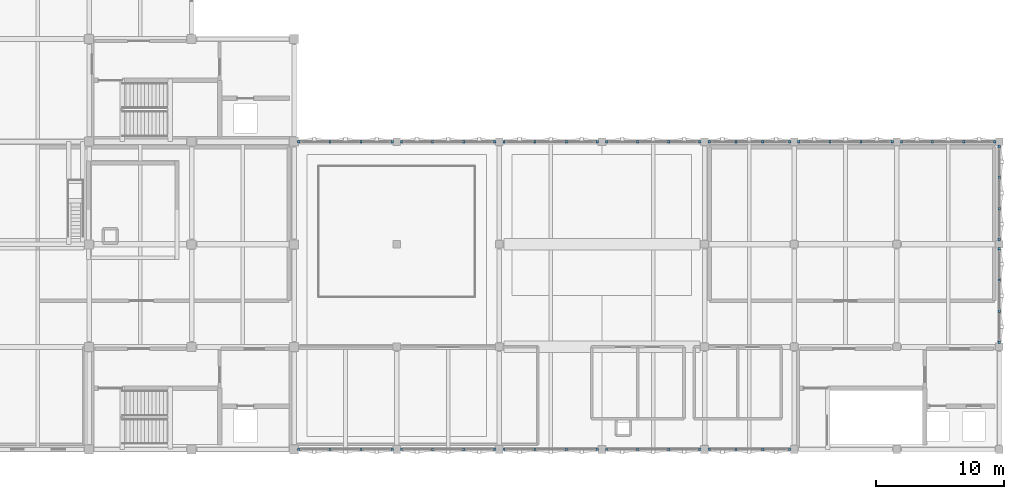
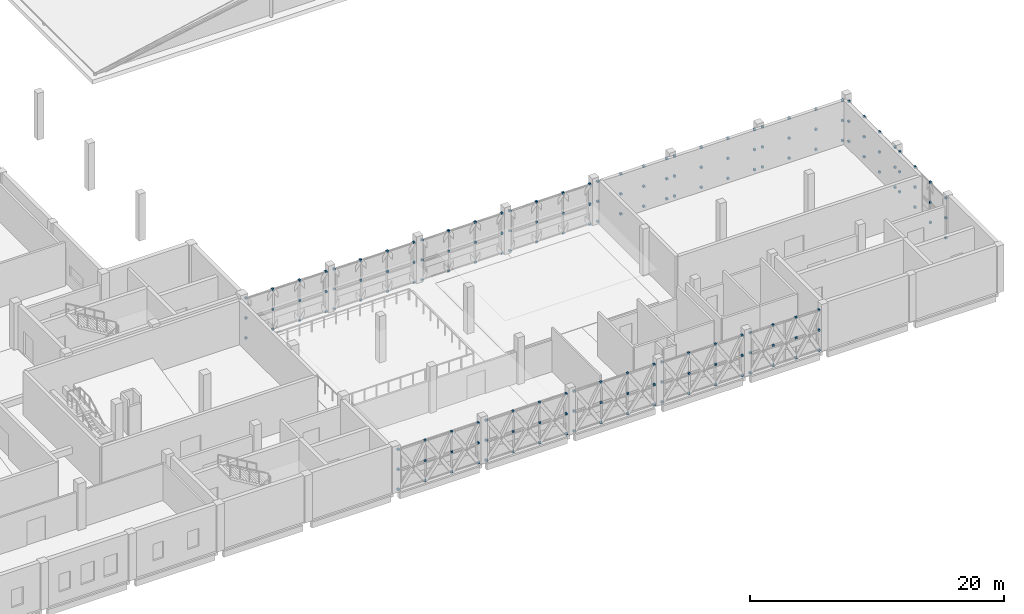
# One storey, part 40 of 43: 168 discrete accessories.
"""IFC4 building model written with IfcOpenShell, lengths in metres."""

from ifc_helpers import new_model, si_unit, direction, frame, origin, origin_2d, place, context, subcontext, project, spatial, rectangle, extrude, material, type_object, element, save


model = new_model("IFC4")

# Units and contexts
model_context = context("Model", 3, precision=1e-05, world=origin(), true_north=direction((0.0, 1.0)))
body_context = subcontext(model_context, "Body", "Model", "MODEL_VIEW")
ifc_project = project(units=[si_unit("LENGTHUNIT", "METRE"), si_unit("AREAUNIT", "SQUARE_METRE"), si_unit("VOLUMEUNIT", "CUBIC_METRE"), si_unit("PLANEANGLEUNIT", "RADIAN"), si_unit("MASSUNIT", "GRAM", prefix="KILO")], contexts=[model_context])

# Site, building, storey
site_placement = place(None, origin())
site = spatial("IfcSite", under=ifc_project, at=site_placement, CompositionType="ELEMENT")
building_placement = place(site_placement, origin())
building = spatial("IfcBuilding", under=site, at=building_placement, Name="Qorikala Patio Media Centre", CompositionType="ELEMENT")
storey_placement = place(building_placement, frame((0.0, 0.0, 18.89990234375)))
storey = spatial("IfcBuildingStorey", under=building, at=storey_placement, Name="L04", CompositionType="ELEMENT", Elevation=18.89990234375)

# Discrete accessories
ifc_material = material(Name="Steel S355", Category="steel")
discrete_accessory_type = type_object("IfcDiscreteAccessoryType", Name="ACC-BRACKET", PredefinedType="BRACKET", material=ifc_material)
for number, where, z_axis, x_axis, name in (
    (1, (67.360107421875, 27.0, -0.08984375), (0.0, 0.0, 1.0), (1.0, 0.0, 0.0), "L04 Brace End Bolted Connection Bracket 0655"),
    (2, (69.78662109375, 27.0, -0.08984375), (0.0, 0.0, 1.0), (1.0, 0.0, 0.0), "L04 Brace End Bolted Connection Bracket 0656"),
    (3, (67.360107421875, 27.0, 3.76025390625), (0.0, 0.0, 1.0), (1.0, 0.0, 0.0), "L04 Brace End Bolted Connection Bracket 0657"),
    (4, (69.78662109375, 27.0, 3.76025390625), (0.0, 0.0, 1.0), (1.0, 0.0, 0.0), "L04 Brace End Bolted Connection Bracket 0658"),
    (5, (67.360107421875, 27.0, 1.8349609375), (0.0, 0.0, 1.0), (1.0, 0.0, 0.0), "L04 Brace End Bolted Connection Bracket 0659"),
    (6, (69.78662109375, 27.0, 1.8349609375), (0.0, 0.0, 1.0), (1.0, 0.0, 0.0), "L04 Brace End Bolted Connection Bracket 0660"),
    (7, (72.21337890625, 27.0, -0.08984375), (0.0, 0.0, 1.0), (1.0, 0.0, 0.0), "L04 Brace End Bolted Connection Bracket 0661"),
    (8, (72.21337890625, 27.0, 3.76025390625), (0.0, 0.0, 1.0), (1.0, 0.0, 0.0), "L04 Brace End Bolted Connection Bracket 0662"),
    (9, (72.21337890625, 27.0, 1.8349609375), (0.0, 0.0, 1.0), (1.0, 0.0, 0.0), "L04 Brace End Bolted Connection Bracket 0663"),
    (10, (74.639892578125, 27.0, -0.08984375), (0.0, 0.0, 1.0), (1.0, 0.0, 0.0), "L04 Brace End Bolted Connection Bracket 0664"),
    (11, (74.639892578125, 27.0, 3.76025390625), (0.0, 0.0, 1.0), (1.0, 0.0, 0.0), "L04 Brace End Bolted Connection Bracket 0665"),
    (12, (74.639892578125, 27.0, 1.8349609375), (0.0, 0.0, 1.0), (1.0, 0.0, 0.0), "L04 Brace End Bolted Connection Bracket 0666"),
    (13, (75.360107421875, 27.0, -0.08984375), (0.0, 0.0, 1.0), (1.0, 0.0, 0.0), "L04 Brace End Bolted Connection Bracket 0667"),
    (14, (77.453369140625, 27.0, -0.08984375), (0.0, 0.0, 1.0), (1.0, 0.0, 0.0), "L04 Brace End Bolted Connection Bracket 0668"),
    (15, (75.360107421875, 27.0, 3.76025390625), (0.0, 0.0, 1.0), (1.0, 0.0, 0.0), "L04 Brace End Bolted Connection Bracket 0669"),
    (16, (77.453369140625, 27.0, 3.76025390625), (0.0, 0.0, 1.0), (1.0, 0.0, 0.0), "L04 Brace End Bolted Connection Bracket 0670"),
    (17, (75.360107421875, 27.0, 1.8349609375), (0.0, 0.0, 1.0), (1.0, 0.0, 0.0), "L04 Brace End Bolted Connection Bracket 0671"),
    (18, (77.453369140625, 27.0, 1.8349609375), (0.0, 0.0, 1.0), (1.0, 0.0, 0.0), "L04 Brace End Bolted Connection Bracket 0672"),
    (19, (79.546630859375, 27.0, -0.08984375), (0.0, 0.0, 1.0), (1.0, 0.0, 0.0), "L04 Brace End Bolted Connection Bracket 0673"),
    (20, (79.546630859375, 27.0, 3.76025390625), (0.0, 0.0, 1.0), (1.0, 0.0, 0.0), "L04 Brace End Bolted Connection Bracket 0674"),
    (21, (79.546630859375, 27.0, 1.8349609375), (0.0, 0.0, 1.0), (1.0, 0.0, 0.0), "L04 Brace End Bolted Connection Bracket 0675"),
    (22, (81.639892578125, 27.0, -0.08984375), (0.0, 0.0, 1.0), (1.0, 0.0, 0.0), "L04 Brace End Bolted Connection Bracket 0676"),
    (23, (81.639892578125, 27.0, 3.76025390625), (0.0, 0.0, 1.0), (1.0, 0.0, 0.0), "L04 Brace End Bolted Connection Bracket 0677"),
    (24, (81.639892578125, 27.0, 1.8349609375), (0.0, 0.0, 1.0), (1.0, 0.0, 0.0), "L04 Brace End Bolted Connection Bracket 0678"),
    (25, (82.360107421875, 27.0, -0.08984375), (0.0, 0.0, 1.0), (1.0, 0.0, 0.0), "L04 Brace End Bolted Connection Bracket 0679"),
    (26, (84.78662109375, 27.0, -0.08984375), (0.0, 0.0, 1.0), (1.0, 0.0, 0.0), "L04 Brace End Bolted Connection Bracket 0680"),
    (27, (82.360107421875, 27.0, 3.76025390625), (0.0, 0.0, 1.0), (1.0, 0.0, 0.0), "L04 Brace End Bolted Connection Bracket 0681"),
    (28, (84.78662109375, 27.0, 3.76025390625), (0.0, 0.0, 1.0), (1.0, 0.0, 0.0), "L04 Brace End Bolted Connection Bracket 0682"),
    (29, (82.360107421875, 27.0, 1.8349609375), (0.0, 0.0, 1.0), (1.0, 0.0, 0.0), "L04 Brace End Bolted Connection Bracket 0683"),
    (30, (84.78662109375, 27.0, 1.8349609375), (0.0, 0.0, 1.0), (1.0, 0.0, 0.0), "L04 Brace End Bolted Connection Bracket 0684"),
    (31, (87.21337890625, 27.0, -0.08984375), (0.0, 0.0, 1.0), (1.0, 0.0, 0.0), "L04 Brace End Bolted Connection Bracket 0685"),
    (32, (87.21337890625, 27.0, 3.76025390625), (0.0, 0.0, 1.0), (1.0, 0.0, 0.0), "L04 Brace End Bolted Connection Bracket 0686"),
    (33, (87.21337890625, 27.0, 1.8349609375), (0.0, 0.0, 1.0), (1.0, 0.0, 0.0), "L04 Brace End Bolted Connection Bracket 0687"),
    (34, (89.639892578125, 27.0, -0.08984375), (0.0, 0.0, 1.0), (1.0, 0.0, 0.0), "L04 Brace End Bolted Connection Bracket 0688"),
    (35, (89.639892578125, 27.0, 3.76025390625), (0.0, 0.0, 1.0), (1.0, 0.0, 0.0), "L04 Brace End Bolted Connection Bracket 0689"),
    (36, (89.639892578125, 27.0, 1.8349609375), (0.0, 0.0, 1.0), (1.0, 0.0, 0.0), "L04 Brace End Bolted Connection Bracket 0690"),
    (37, (90.360107421875, 27.0, -0.08984375), (0.0, 0.0, 1.0), (1.0, 0.0, 0.0), "L04 Brace End Bolted Connection Bracket 0691"),
    (38, (92.78662109375, 27.0, -0.08984375), (0.0, 0.0, 1.0), (1.0, 0.0, 0.0), "L04 Brace End Bolted Connection Bracket 0692"),
    (39, (90.360107421875, 27.0, 3.76025390625), (0.0, 0.0, 1.0), (1.0, 0.0, 0.0), "L04 Brace End Bolted Connection Bracket 0693"),
    (40, (92.78662109375, 27.0, 3.76025390625), (0.0, 0.0, 1.0), (1.0, 0.0, 0.0), "L04 Brace End Bolted Connection Bracket 0694"),
    (41, (90.360107421875, 27.0, 1.8349609375), (0.0, 0.0, 1.0), (1.0, 0.0, 0.0), "L04 Brace End Bolted Connection Bracket 0695"),
    (42, (92.78662109375, 27.0, 1.8349609375), (0.0, 0.0, 1.0), (1.0, 0.0, 0.0), "L04 Brace End Bolted Connection Bracket 0696"),
    (43, (95.21337890625, 27.0, -0.08984375), (0.0, 0.0, 1.0), (1.0, 0.0, 0.0), "L04 Brace End Bolted Connection Bracket 0697"),
    (44, (95.21337890625, 27.0, 3.76025390625), (0.0, 0.0, 1.0), (1.0, 0.0, 0.0), "L04 Brace End Bolted Connection Bracket 0698"),
    (45, (95.21337890625, 27.0, 1.8349609375), (0.0, 0.0, 1.0), (1.0, 0.0, 0.0), "L04 Brace End Bolted Connection Bracket 0699"),
    (46, (97.639892578125, 27.0, -0.08984375), (0.0, 0.0, 1.0), (1.0, 0.0, 0.0), "L04 Brace End Bolted Connection Bracket 0700"),
    (47, (97.639892578125, 27.0, 3.76025390625), (0.0, 0.0, 1.0), (1.0, 0.0, 0.0), "L04 Brace End Bolted Connection Bracket 0701"),
    (48, (97.639892578125, 27.0, 1.8349609375), (0.0, 0.0, 1.0), (1.0, 0.0, 0.0), "L04 Brace End Bolted Connection Bracket 0702"),
    (49, (98.0, 26.639892578125, -0.08984375), (0.0, 0.0, 1.0), (1.0, 0.0, 0.0), "L04 Brace End Bolted Connection Bracket 0703"),
    (50, (98.0, 24.21337890625, -0.08984375), (0.0, 0.0, 1.0), (1.0, 0.0, 0.0), "L04 Brace End Bolted Connection Bracket 0704"),
    (51, (98.0, 26.639892578125, 3.76025390625), (0.0, 0.0, 1.0), (1.0, 0.0, 0.0), "L04 Brace End Bolted Connection Bracket 0705"),
    (52, (98.0, 24.21337890625, 3.76025390625), (0.0, 0.0, 1.0), (1.0, 0.0, 0.0), "L04 Brace End Bolted Connection Bracket 0706"),
    (53, (98.0, 26.639892578125, 1.8349609375), (0.0, 0.0, 1.0), (1.0, 0.0, 0.0), "L04 Brace End Bolted Connection Bracket 0707"),
    (54, (98.0, 24.21337890625, 1.8349609375), (0.0, 0.0, 1.0), (1.0, 0.0, 0.0), "L04 Brace End Bolted Connection Bracket 0708"),
    (55, (98.0, 21.78662109375, -0.08984375), (0.0, 0.0, 1.0), (1.0, 0.0, 0.0), "L04 Brace End Bolted Connection Bracket 0709"),
    (56, (98.0, 21.78662109375, 3.76025390625), (0.0, 0.0, 1.0), (1.0, 0.0, 0.0), "L04 Brace End Bolted Connection Bracket 0710"),
    (57, (98.0, 21.78662109375, 1.8349609375), (0.0, 0.0, 1.0), (1.0, 0.0, 0.0), "L04 Brace End Bolted Connection Bracket 0711"),
    (58, (98.0, 19.360107421875, -0.08984375), (0.0, 0.0, 1.0), (1.0, 0.0, 0.0), "L04 Brace End Bolted Connection Bracket 0712"),
    (59, (98.0, 19.360107421875, 3.76025390625), (0.0, 0.0, 1.0), (1.0, 0.0, 0.0), "L04 Brace End Bolted Connection Bracket 0713"),
    (60, (98.0, 19.360107421875, 1.8349609375), (0.0, 0.0, 1.0), (1.0, 0.0, 0.0), "L04 Brace End Bolted Connection Bracket 0714"),
    (61, (98.0, 18.639892578125, -0.08984375), (0.0, 0.0, 1.0), (1.0, 0.0, 0.0), "L04 Brace End Bolted Connection Bracket 0715"),
    (62, (98.0, 16.21337890625, -0.08984375), (0.0, 0.0, 1.0), (1.0, 0.0, 0.0), "L04 Brace End Bolted Connection Bracket 0716"),
    (63, (98.0, 18.639892578125, 3.76025390625), (0.0, 0.0, 1.0), (1.0, 0.0, 0.0), "L04 Brace End Bolted Connection Bracket 0717"),
    (64, (98.0, 16.21337890625, 3.76025390625), (0.0, 0.0, 1.0), (1.0, 0.0, 0.0), "L04 Brace End Bolted Connection Bracket 0718"),
    (65, (98.0, 18.639892578125, 1.8349609375), (0.0, 0.0, 1.0), (1.0, 0.0, 0.0), "L04 Brace End Bolted Connection Bracket 0719"),
    (66, (98.0, 16.21337890625, 1.8349609375), (0.0, 0.0, 1.0), (1.0, 0.0, 0.0), "L04 Brace End Bolted Connection Bracket 0720"),
    (67, (98.0, 13.78662109375, -0.08984375), (0.0, 0.0, 1.0), (1.0, 0.0, 0.0), "L04 Brace End Bolted Connection Bracket 0721"),
    (68, (98.0, 13.78662109375, 3.76025390625), (0.0, 0.0, 1.0), (1.0, 0.0, 0.0), "L04 Brace End Bolted Connection Bracket 0722"),
    (69, (98.0, 13.78662109375, 1.8349609375), (0.0, 0.0, 1.0), (1.0, 0.0, 0.0), "L04 Brace End Bolted Connection Bracket 0723"),
    (70, (98.0, 11.360107421875, -0.08984375), (0.0, 0.0, 1.0), (1.0, 0.0, 0.0), "L04 Brace End Bolted Connection Bracket 0724"),
    (71, (98.0, 11.360107421875, 3.76025390625), (0.0, 0.0, 1.0), (1.0, 0.0, 0.0), "L04 Brace End Bolted Connection Bracket 0725"),
    (72, (98.0, 11.360107421875, 1.8349609375), (0.0, 0.0, 1.0), (1.0, 0.0, 0.0), "L04 Brace End Bolted Connection Bracket 0726"),
    (73, (81.639892578125, 3.0, -0.08984375), (0.0, 0.0, 1.0), (1.0, 0.0, 0.0), "L04 Brace End Bolted Connection Bracket 0727"),
    (74, (79.546630859375, 3.0, -0.08984375), (0.0, 0.0, 1.0), (1.0, 0.0, 0.0), "L04 Brace End Bolted Connection Bracket 0728"),
    (75, (81.639892578125, 3.0, 3.76025390625), (0.0, 0.0, 1.0), (1.0, 0.0, 0.0), "L04 Brace End Bolted Connection Bracket 0729"),
    (76, (79.546630859375, 3.0, 3.76025390625), (0.0, 0.0, 1.0), (1.0, 0.0, 0.0), "L04 Brace End Bolted Connection Bracket 0730"),
    (77, (81.639892578125, 3.0, 1.8349609375), (0.0, 0.0, 1.0), (1.0, 0.0, 0.0), "L04 Brace End Bolted Connection Bracket 0731"),
    (78, (79.546630859375, 3.0, 1.8349609375), (0.0, 0.0, 1.0), (1.0, 0.0, 0.0), "L04 Brace End Bolted Connection Bracket 0732"),
    (79, (77.453369140625, 3.0, -0.08984375), (0.0, 0.0, 1.0), (1.0, 0.0, 0.0), "L04 Brace End Bolted Connection Bracket 0733"),
    (80, (77.453369140625, 3.0, 3.76025390625), (0.0, 0.0, 1.0), (1.0, 0.0, 0.0), "L04 Brace End Bolted Connection Bracket 0734"),
    (81, (77.453369140625, 3.0, 1.8349609375), (0.0, 0.0, 1.0), (1.0, 0.0, 0.0), "L04 Brace End Bolted Connection Bracket 0735"),
    (82, (75.360107421875, 3.0, -0.08984375), (0.0, 0.0, 1.0), (1.0, 0.0, 0.0), "L04 Brace End Bolted Connection Bracket 0736"),
    (83, (75.360107421875, 3.0, 3.76025390625), (0.0, 0.0, 1.0), (1.0, 0.0, 0.0), "L04 Brace End Bolted Connection Bracket 0737"),
    (84, (75.360107421875, 3.0, 1.8349609375), (0.0, 0.0, 1.0), (1.0, 0.0, 0.0), "L04 Brace End Bolted Connection Bracket 0738"),
    (85, (74.639892578125, 3.0, -0.08984375), (0.0, 0.0, 1.0), (1.0, 0.0, 0.0), "L04 Brace End Bolted Connection Bracket 0739"),
    (86, (72.21337890625, 3.0, -0.08984375), (0.0, 0.0, 1.0), (1.0, 0.0, 0.0), "L04 Brace End Bolted Connection Bracket 0740"),
    (87, (74.639892578125, 3.0, 3.76025390625), (0.0, 0.0, 1.0), (1.0, 0.0, 0.0), "L04 Brace End Bolted Connection Bracket 0741"),
    (88, (72.21337890625, 3.0, 3.76025390625), (0.0, 0.0, 1.0), (1.0, 0.0, 0.0), "L04 Brace End Bolted Connection Bracket 0742"),
    (89, (74.639892578125, 3.0, 1.8349609375), (0.0, 0.0, 1.0), (1.0, 0.0, 0.0), "L04 Brace End Bolted Connection Bracket 0743"),
    (90, (72.21337890625, 3.0, 1.8349609375), (0.0, 0.0, 1.0), (1.0, 0.0, 0.0), "L04 Brace End Bolted Connection Bracket 0744"),
    (91, (69.78662109375, 3.0, -0.08984375), (0.0, 0.0, 1.0), (1.0, 0.0, 0.0), "L04 Brace End Bolted Connection Bracket 0745"),
    (92, (69.78662109375, 3.0, 3.76025390625), (0.0, 0.0, 1.0), (1.0, 0.0, 0.0), "L04 Brace End Bolted Connection Bracket 0746"),
    (93, (69.78662109375, 3.0, 1.8349609375), (0.0, 0.0, 1.0), (1.0, 0.0, 0.0), "L04 Brace End Bolted Connection Bracket 0747"),
    (94, (67.360107421875, 3.0, -0.08984375), (0.0, 0.0, 1.0), (1.0, 0.0, 0.0), "L04 Brace End Bolted Connection Bracket 0748"),
    (95, (67.360107421875, 3.0, 3.76025390625), (0.0, 0.0, 1.0), (1.0, 0.0, 0.0), "L04 Brace End Bolted Connection Bracket 0749"),
    (96, (67.360107421875, 3.0, 1.8349609375), (0.0, 0.0, 1.0), (1.0, 0.0, 0.0), "L04 Brace End Bolted Connection Bracket 0750"),
    (97, (66.639892578125, 3.0, -0.08984375), (0.0, 0.0, 1.0), (1.0, 0.0, 0.0), "L04 Brace End Bolted Connection Bracket 0751"),
    (98, (64.21337890625, 3.0, -0.08984375), (0.0, 0.0, 1.0), (1.0, 0.0, 0.0), "L04 Brace End Bolted Connection Bracket 0752"),
    (99, (66.639892578125, 3.0, 3.76025390625), (0.0, 0.0, 1.0), (1.0, 0.0, 0.0), "L04 Brace End Bolted Connection Bracket 0753"),
    (100, (64.21337890625, 3.0, 3.76025390625), (0.0, 0.0, 1.0), (1.0, 0.0, 0.0), "L04 Brace End Bolted Connection Bracket 0754"),
    (101, (66.639892578125, 3.0, 1.8349609375), (0.0, 0.0, 1.0), (1.0, 0.0, 0.0), "L04 Brace End Bolted Connection Bracket 0755"),
    (102, (64.21337890625, 3.0, 1.8349609375), (0.0, 0.0, 1.0), (1.0, 0.0, 0.0), "L04 Brace End Bolted Connection Bracket 0756"),
    (103, (61.78662109375, 3.0, -0.08984375), (0.0, 0.0, 1.0), (1.0, 0.0, 0.0), "L04 Brace End Bolted Connection Bracket 0757"),
    (104, (61.78662109375, 3.0, 3.76025390625), (0.0, 0.0, 1.0), (1.0, 0.0, 0.0), "L04 Brace End Bolted Connection Bracket 0758"),
    (105, (61.78662109375, 3.0, 1.8349609375), (0.0, 0.0, 1.0), (1.0, 0.0, 0.0), "L04 Brace End Bolted Connection Bracket 0759"),
    (106, (59.360107421875, 3.0, -0.08984375), (0.0, 0.0, 1.0), (1.0, 0.0, 0.0), "L04 Brace End Bolted Connection Bracket 0760"),
    (107, (59.360107421875, 3.0, 3.76025390625), (0.0, 0.0, 1.0), (1.0, 0.0, 0.0), "L04 Brace End Bolted Connection Bracket 0761"),
    (108, (59.360107421875, 3.0, 1.8349609375), (0.0, 0.0, 1.0), (1.0, 0.0, 0.0), "L04 Brace End Bolted Connection Bracket 0762"),
    (109, (58.639892578125, 3.0, -0.08984375), (0.0, 0.0, 1.0), (1.0, 0.0, 0.0), "L04 Brace End Bolted Connection Bracket 0763"),
    (110, (56.21337890625, 3.0, -0.08984375), (0.0, 0.0, 1.0), (1.0, 0.0, 0.0), "L04 Brace End Bolted Connection Bracket 0764"),
    (111, (58.639892578125, 3.0, 3.76025390625), (0.0, 0.0, 1.0), (1.0, 0.0, 0.0), "L04 Brace End Bolted Connection Bracket 0765"),
    (112, (56.21337890625, 3.0, 3.76025390625), (0.0, 0.0, 1.0), (1.0, 0.0, 0.0), "L04 Brace End Bolted Connection Bracket 0766"),
    (113, (58.639892578125, 3.0, 1.8349609375), (0.0, 0.0, 1.0), (1.0, 0.0, 0.0), "L04 Brace End Bolted Connection Bracket 0767"),
    (114, (56.21337890625, 3.0, 1.8349609375), (0.0, 0.0, 1.0), (1.0, 0.0, 0.0), "L04 Brace End Bolted Connection Bracket 0768"),
    (115, (53.78662109375, 3.0, -0.08984375), (0.0, 0.0, 1.0), (1.0, 0.0, 0.0), "L04 Brace End Bolted Connection Bracket 0769"),
    (116, (53.78662109375, 3.0, 3.76025390625), (0.0, 0.0, 1.0), (1.0, 0.0, 0.0), "L04 Brace End Bolted Connection Bracket 0770"),
    (117, (53.78662109375, 3.0, 1.8349609375), (0.0, 0.0, 1.0), (1.0, 0.0, 0.0), "L04 Brace End Bolted Connection Bracket 0771"),
    (118, (51.360107421875, 3.0, -0.08984375), (0.0, 0.0, 1.0), (1.0, 0.0, 0.0), "L04 Brace End Bolted Connection Bracket 0772"),
    (119, (51.360107421875, 3.0, 3.76025390625), (0.0, 0.0, 1.0), (1.0, 0.0, 0.0), "L04 Brace End Bolted Connection Bracket 0773"),
    (120, (51.360107421875, 3.0, 1.8349609375), (0.0, 0.0, 1.0), (1.0, 0.0, 0.0), "L04 Brace End Bolted Connection Bracket 0774"),
    (121, (50.639892578125, 3.0, -0.08984375), (0.0, 0.0, 1.0), (1.0, 0.0, 0.0), "L04 Brace End Bolted Connection Bracket 0775"),
    (122, (48.21337890625, 3.0, -0.08984375), (0.0, 0.0, 1.0), (1.0, 0.0, 0.0), "L04 Brace End Bolted Connection Bracket 0776"),
    (123, (50.639892578125, 3.0, 3.76025390625), (0.0, 0.0, 1.0), (1.0, 0.0, 0.0), "L04 Brace End Bolted Connection Bracket 0777"),
    (124, (48.21337890625, 3.0, 3.76025390625), (0.0, 0.0, 1.0), (1.0, 0.0, 0.0), "L04 Brace End Bolted Connection Bracket 0778"),
    (125, (50.639892578125, 3.0, 1.8349609375), (0.0, 0.0, 1.0), (1.0, 0.0, 0.0), "L04 Brace End Bolted Connection Bracket 0779"),
    (126, (48.21337890625, 3.0, 1.8349609375), (0.0, 0.0, 1.0), (1.0, 0.0, 0.0), "L04 Brace End Bolted Connection Bracket 0780"),
    (127, (45.78662109375, 3.0, -0.08984375), (0.0, 0.0, 1.0), (1.0, 0.0, 0.0), "L04 Brace End Bolted Connection Bracket 0781"),
    (128, (45.78662109375, 3.0, 3.76025390625), (0.0, 0.0, 1.0), (1.0, 0.0, 0.0), "L04 Brace End Bolted Connection Bracket 0782"),
    (129, (45.78662109375, 3.0, 1.8349609375), (0.0, 0.0, 1.0), (1.0, 0.0, 0.0), "L04 Brace End Bolted Connection Bracket 0783"),
    (130, (43.360107421875, 3.0, -0.08984375), (0.0, 0.0, 1.0), (1.0, 0.0, 0.0), "L04 Brace End Bolted Connection Bracket 0784"),
    (131, (43.360107421875, 3.0, 3.76025390625), (0.0, 0.0, 1.0), (1.0, 0.0, 0.0), "L04 Brace End Bolted Connection Bracket 0785"),
    (132, (43.360107421875, 3.0, 1.8349609375), (0.0, 0.0, 1.0), (1.0, 0.0, 0.0), "L04 Brace End Bolted Connection Bracket 0786"),
    (133, (43.360107421875, 27.0, -0.08984375), (0.0, 0.0, 1.0), (1.0, 0.0, 0.0), "L04 Brace End Bolted Connection Bracket 0787"),
    (134, (45.78662109375, 27.0, -0.08984375), (0.0, 0.0, 1.0), (1.0, 0.0, 0.0), "L04 Brace End Bolted Connection Bracket 0788"),
    (135, (43.360107421875, 27.0, 3.76025390625), (0.0, 0.0, 1.0), (1.0, 0.0, 0.0), "L04 Brace End Bolted Connection Bracket 0789"),
    (136, (45.78662109375, 27.0, 3.76025390625), (0.0, 0.0, 1.0), (1.0, 0.0, 0.0), "L04 Brace End Bolted Connection Bracket 0790"),
    (137, (43.360107421875, 27.0, 1.8349609375), (0.0, 0.0, 1.0), (1.0, 0.0, 0.0), "L04 Brace End Bolted Connection Bracket 0791"),
    (138, (45.78662109375, 27.0, 1.8349609375), (0.0, 0.0, 1.0), (1.0, 0.0, 0.0), "L04 Brace End Bolted Connection Bracket 0792"),
    (139, (48.21337890625, 27.0, -0.08984375), (0.0, 0.0, 1.0), (1.0, 0.0, 0.0), "L04 Brace End Bolted Connection Bracket 0793"),
    (140, (48.21337890625, 27.0, 3.76025390625), (0.0, 0.0, 1.0), (1.0, 0.0, 0.0), "L04 Brace End Bolted Connection Bracket 0794"),
    (141, (48.21337890625, 27.0, 1.8349609375), (0.0, 0.0, 1.0), (1.0, 0.0, 0.0), "L04 Brace End Bolted Connection Bracket 0795"),
    (142, (50.639892578125, 27.0, -0.08984375), (0.0, 0.0, 1.0), (1.0, 0.0, 0.0), "L04 Brace End Bolted Connection Bracket 0796"),
    (143, (50.639892578125, 27.0, 3.76025390625), (0.0, 0.0, 1.0), (1.0, 0.0, 0.0), "L04 Brace End Bolted Connection Bracket 0797"),
    (144, (50.639892578125, 27.0, 1.8349609375), (0.0, 0.0, 1.0), (1.0, 0.0, 0.0), "L04 Brace End Bolted Connection Bracket 0798"),
    (145, (51.360107421875, 27.0, -0.08984375), (0.0, 0.0, 1.0), (1.0, 0.0, 0.0), "L04 Brace End Bolted Connection Bracket 0799"),
    (146, (53.78662109375, 27.0, -0.08984375), (0.0, 0.0, 1.0), (1.0, 0.0, 0.0), "L04 Brace End Bolted Connection Bracket 0800"),
    (147, (51.360107421875, 27.0, 3.76025390625), (0.0, 0.0, 1.0), (1.0, 0.0, 0.0), "L04 Brace End Bolted Connection Bracket 0801"),
    (148, (53.78662109375, 27.0, 3.76025390625), (0.0, 0.0, 1.0), (1.0, 0.0, 0.0), "L04 Brace End Bolted Connection Bracket 0802"),
    (149, (51.360107421875, 27.0, 1.8349609375), (0.0, 0.0, 1.0), (1.0, 0.0, 0.0), "L04 Brace End Bolted Connection Bracket 0803"),
    (150, (53.78662109375, 27.0, 1.8349609375), (0.0, 0.0, 1.0), (1.0, 0.0, 0.0), "L04 Brace End Bolted Connection Bracket 0804"),
    (151, (56.21337890625, 27.0, -0.08984375), (0.0, 0.0, 1.0), (1.0, 0.0, 0.0), "L04 Brace End Bolted Connection Bracket 0805"),
    (152, (56.21337890625, 27.0, 3.76025390625), (0.0, 0.0, 1.0), (1.0, 0.0, 0.0), "L04 Brace End Bolted Connection Bracket 0806"),
    (153, (56.21337890625, 27.0, 1.8349609375), (0.0, 0.0, 1.0), (1.0, 0.0, 0.0), "L04 Brace End Bolted Connection Bracket 0807"),
    (154, (58.639892578125, 27.0, -0.08984375), (0.0, 0.0, 1.0), (1.0, 0.0, 0.0), "L04 Brace End Bolted Connection Bracket 0808"),
    (155, (58.639892578125, 27.0, 3.76025390625), (0.0, 0.0, 1.0), (1.0, 0.0, 0.0), "L04 Brace End Bolted Connection Bracket 0809"),
    (156, (58.639892578125, 27.0, 1.8349609375), (0.0, 0.0, 1.0), (1.0, 0.0, 0.0), "L04 Brace End Bolted Connection Bracket 0810"),
    (157, (59.360107421875, 27.0, -0.08984375), (0.0, 0.0, 1.0), (1.0, 0.0, 0.0), "L04 Brace End Bolted Connection Bracket 0811"),
    (158, (61.78662109375, 27.0, -0.08984375), (0.0, 0.0, 1.0), (1.0, 0.0, 0.0), "L04 Brace End Bolted Connection Bracket 0812"),
    (159, (59.360107421875, 27.0, 3.76025390625), (0.0, 0.0, 1.0), (1.0, 0.0, 0.0), "L04 Brace End Bolted Connection Bracket 0813"),
    (160, (61.78662109375, 27.0, 3.76025390625), (0.0, 0.0, 1.0), (1.0, 0.0, 0.0), "L04 Brace End Bolted Connection Bracket 0814"),
    (161, (59.360107421875, 27.0, 1.8349609375), (0.0, 0.0, 1.0), (1.0, 0.0, 0.0), "L04 Brace End Bolted Connection Bracket 0815"),
    (162, (61.78662109375, 27.0, 1.8349609375), (0.0, 0.0, 1.0), (1.0, 0.0, 0.0), "L04 Brace End Bolted Connection Bracket 0816"),
    (163, (64.21337890625, 27.0, -0.08984375), (0.0, 0.0, 1.0), (1.0, 0.0, 0.0), "L04 Brace End Bolted Connection Bracket 0817"),
    (164, (64.21337890625, 27.0, 3.76025390625), (0.0, 0.0, 1.0), (1.0, 0.0, 0.0), "L04 Brace End Bolted Connection Bracket 0818"),
    (165, (64.21337890625, 27.0, 1.8349609375), (0.0, 0.0, 1.0), (1.0, 0.0, 0.0), "L04 Brace End Bolted Connection Bracket 0819"),
    (166, (66.639892578125, 27.0, -0.08984375), (0.0, 0.0, 1.0), (1.0, 0.0, 0.0), "L04 Brace End Bolted Connection Bracket 0820"),
    (167, (66.639892578125, 27.0, 3.76025390625), (0.0, 0.0, 1.0), (1.0, 0.0, 0.0), "L04 Brace End Bolted Connection Bracket 0821"),
    (168, (66.639892578125, 27.0, 1.8349609375), (0.0, 0.0, 1.0), (1.0, 0.0, 0.0), "L04 Brace End Bolted Connection Bracket 0822"),
):
    element("IfcDiscreteAccessory", number, at=place(storey_placement, frame(where, z_axis=z_axis, x_axis=x_axis)), inside=storey, type_object=discrete_accessory_type, Name=name, PredefinedType="BRACKET", context=body_context, shape_type="SweptSolid", body=[
        extrude(rectangle(XDim=0.179931640625, YDim=0.179931640625, at=origin_2d()), origin(), (0.0, 0.0, 1.0), 0.179931640625),
    ])

save(model, "model.ifc")
